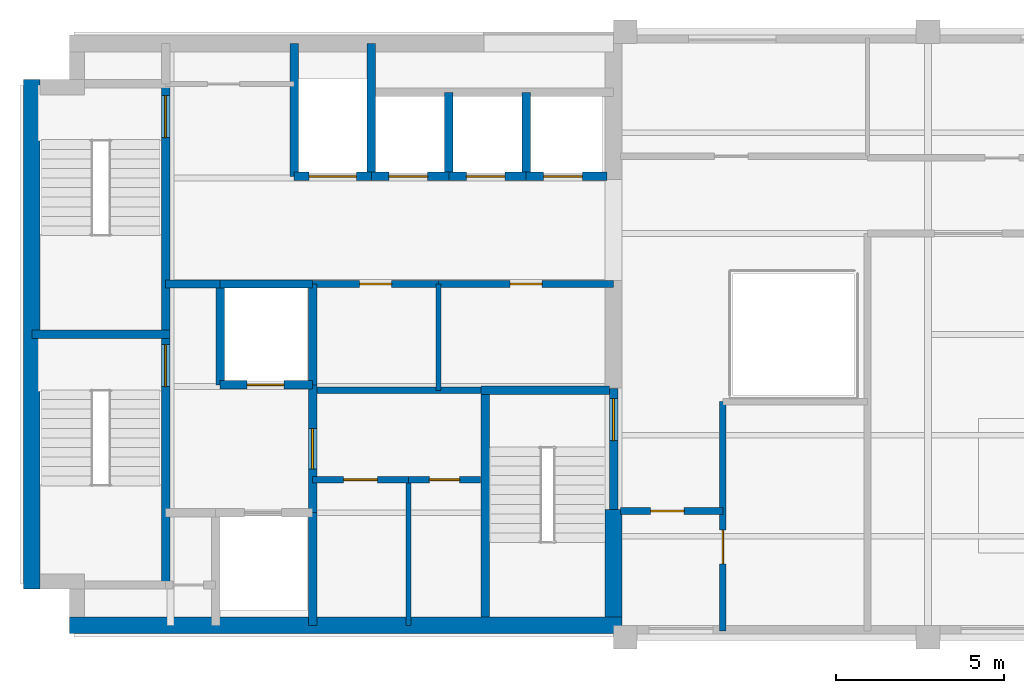
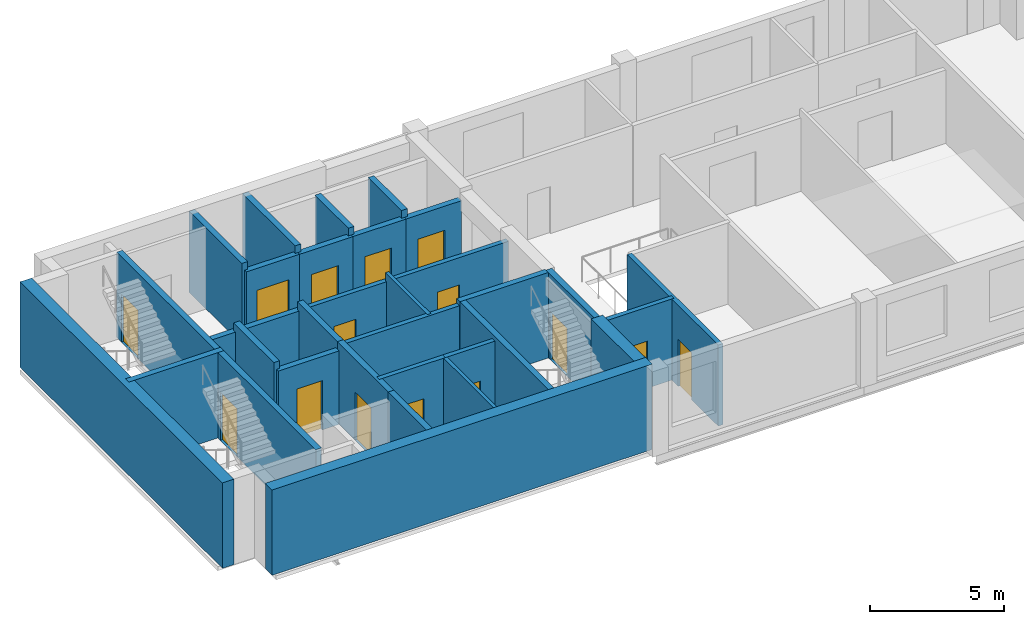
# One storey, part 2 of 5: 33 walls, 15 doors, 15 openings.
"""IFC4 building model written with IfcOpenShell, lengths in metres."""

from ifc_helpers import new_model, si_unit, direction, frame, frame_2d, origin, place, context, subcontext, project, spatial, rectangle, extrude, material, layer, layer_set, type_object, element, fill, save


model = new_model("IFC4")

# Units and contexts
model_context = context("Model", 3, precision=1e-05, world=origin(), true_north=direction((0.0, 1.0)))
body_context = subcontext(model_context, "Body", "Model", "MODEL_VIEW")
ifc_project = project(units=[si_unit("LENGTHUNIT", "METRE"), si_unit("AREAUNIT", "SQUARE_METRE"), si_unit("VOLUMEUNIT", "CUBIC_METRE"), si_unit("PLANEANGLEUNIT", "RADIAN"), si_unit("MASSUNIT", "GRAM", prefix="KILO")], contexts=[model_context])

# Site, building, storey
site_placement = place(None, origin())
site = spatial("IfcSite", under=ifc_project, at=site_placement, CompositionType="ELEMENT")
building_placement = place(site_placement, origin())
building = spatial("IfcBuilding", under=site, at=building_placement, Name="Mawjdan Bourse Tower", CompositionType="ELEMENT")
storey_placement = place(building_placement, frame((0.0, 0.0, 297.60009765625)))
storey = spatial("IfcBuildingStorey", under=building, at=storey_placement, Name="L73", CompositionType="ELEMENT", Elevation=297.60009765625)

# Wall, opening, door
ifc_material_1 = material(Name="Gypsum Fireboard Assembly")
ifc_layer_1 = layer(ifc_material_1, 0.199951171875)
ifc_layer_set_1 = layer_set([ifc_layer_1], Name="Gypsum Fireboard Assembly")
wall_type_1 = type_object("IfcWallType", Name="WL-CMP-200", PredefinedType="PARTITIONING", material=ifc_layer_set_1)
wall_1_placement = place(storey_placement, frame((14.699951171875, 7.679931640625, 0.0), z_axis=(0.0, 0.0, 1.0), x_axis=(1.0, 0.0, 0.0)))
wall_1 = element("IfcWall", 1, at=wall_1_placement, inside=storey, type_object=wall_type_1, Name="L73 Archive & Records Office North Wall", PredefinedType="PARTITIONING", context=body_context, shape_type="SweptSolid", body=[
    extrude(rectangle(XDim=2.85009765625, YDim=0.199951171875, at=frame_2d((1.425048828125, 0.0))), origin(), (0.0, 0.0, 1.0), 3.704833984375),
])
opening_1_placement = place(wall_1_placement, frame((0.925048828125, 0.0, 0.0)))
opening_1 = element("IfcOpeningElement", 2, at=opening_1_placement, cuts=wall_1, Name="Opening D-L73-13", PredefinedType="OPENING", context=body_context, shape_type="SweptSolid", body=[
    extrude(rectangle(XDim=1.0, YDim=2.14990234375, at=frame_2d((0.5, 1.074951171875))), frame((0.0, 0.10986328125, 0.0), z_axis=(0.0, -1.0, 0.0), x_axis=(1.0, 0.0, 0.0)), (0.0, 0.0, 1.0), 0.219970703125),
])
ifc_material_2 = material(Name="Hardwood Acoustic Leaf", Category="wood")
door_type_1 = type_object("IfcDoorType", Name="DR-OFC-1000", OperationType="NOTDEFINED", PredefinedType="DOOR", material=ifc_material_2)
door_1_placement = place(opening_1_placement, origin())
door_1 = element("IfcDoor", 3, at=door_1_placement, inside=storey, type_object=door_type_1, Name="L73 Archive & Records Office Door D-L73-13", OperationType="SINGLE_SWING_RIGHT", OverallHeight=2.14990234375, OverallWidth=1.0, PredefinedType="DOOR", context=body_context, shape_type="SweptSolid", body=[
    extrude(rectangle(XDim=1.0, YDim=2.14990234375, at=frame_2d((0.5, 1.074951171875))), frame((0.0, 0.02490234375, 0.0), z_axis=(0.0, -1.0, 0.0), x_axis=(1.0, 0.0, 0.0)), (0.0, 0.0, 1.0), 0.050048828125),
])
fill(opening_1, door_1)

wall_2_placement = place(storey_placement, frame((17.550048828125, 7.679931640625, 0.0), z_axis=(0.0, 0.0, 1.0), x_axis=(1.0, 0.0, 0.0)))
wall_2 = element("IfcWall", 4, at=wall_2_placement, inside=storey, type_object=wall_type_1, Name="L73 IT & Fiber Patch Room North Wall", PredefinedType="PARTITIONING", context=body_context, shape_type="SweptSolid", body=[
    extrude(rectangle(XDim=2.14990234375, YDim=0.199951171875, at=frame_2d((1.074951171875, 0.0))), origin(), (0.0, 0.0, 1.0), 3.704833984375),
])
opening_2_placement = place(wall_2_placement, frame((0.625, 0.0, 0.0)))
opening_2 = element("IfcOpeningElement", 5, at=opening_2_placement, cuts=wall_2, Name="Opening D-L73-14", PredefinedType="OPENING", context=body_context, shape_type="SweptSolid", body=[
    extrude(rectangle(XDim=0.89990234375, YDim=2.10009765625, at=frame_2d((0.449951171875, 1.050048828125))), frame((0.0, 0.10986328125, 0.0), z_axis=(0.0, -1.0, 0.0), x_axis=(1.0, 0.0, 0.0)), (0.0, 0.0, 1.0), 0.219970703125),
])
ifc_material_3 = material(Name="Fire-Rated Steel Access Leaf", Category="steel")
door_type_2 = type_object("IfcDoorType", Name="FD-RSR-0900", OperationType="NOTDEFINED", PredefinedType="TRAPDOOR", material=ifc_material_3)
door_2_placement = place(opening_2_placement, origin())
door_2 = element("IfcDoor", 6, at=door_2_placement, inside=storey, type_object=door_type_2, Name="L73 IT & Fiber Patch Room Door D-L73-14", OperationType="SINGLE_SWING_LEFT", OverallHeight=2.10009765625, OverallWidth=0.89990234375, PredefinedType="TRAPDOOR", context=body_context, shape_type="SweptSolid", body=[
    extrude(rectangle(XDim=0.89990234375, YDim=2.10009765625, at=frame_2d((0.449951171875, 1.050048828125))), frame((0.0, 0.02490234375, 0.0), z_axis=(0.0, -1.0, 0.0), x_axis=(1.0, 0.0, 0.0)), (0.0, 0.0, 1.0), 0.050048828125),
])
fill(opening_2, door_2)

# Wall
wall_3_placement = place(storey_placement, frame((14.824951171875, 10.340087890625, 0.0), z_axis=(0.0, 0.0, 1.0), x_axis=(1.0, 0.0, 0.0)))
element("IfcWall", 7, at=wall_3_placement, inside=storey, type_object=wall_type_1, Name="L73 Core Restroom Suite South Wall", PredefinedType="PARTITIONING", context=body_context, shape_type="SweptSolid", body=[
    extrude(rectangle(XDim=4.880126953125, YDim=0.199951171875, at=frame_2d((2.43994140625, 0.0))), origin(), (0.0, 0.0, 1.0), 3.704833984375),
])

# Wall, opening, door
wall_4_placement = place(storey_placement, frame((14.699951171875, 13.5, 0.0), z_axis=(0.0, 0.0, 1.0), x_axis=(1.0, 0.0, 0.0)))
wall_4 = element("IfcWall", 8, at=wall_4_placement, inside=storey, type_object=wall_type_1, Name="L73 Accessible WC North Wall", PredefinedType="PARTITIONING", context=body_context, shape_type="SweptSolid", body=[
    extrude(rectangle(XDim=3.75, YDim=0.199951171875, at=frame_2d((1.875, 0.0))), origin(), (0.0, 0.0, 1.0), 3.35400390625),
])
opening_3_placement = place(wall_4_placement, frame((1.39990234375, 0.0, 0.0)))
opening_3 = element("IfcOpeningElement", 9, at=opening_3_placement, cuts=wall_4, Name="Opening D-L73-15", PredefinedType="OPENING", context=body_context, shape_type="SweptSolid", body=[
    extrude(rectangle(XDim=0.949951171875, YDim=2.10009765625, at=frame_2d((0.47509765625, 1.050048828125))), frame((0.0, 0.10986328125, 0.0), z_axis=(0.0, -1.0, 0.0), x_axis=(1.0, 0.0, 0.0)), (0.0, 0.0, 1.0), 0.219970703125),
])
ifc_material_4 = material(Name="Moisture-Resistant Laminate Timber", Category="wood")
door_type_3 = type_object("IfcDoorType", Name="DR-WET-0950", OperationType="NOTDEFINED", PredefinedType="DOOR", material=ifc_material_4)
door_3_placement = place(opening_3_placement, origin())
door_3 = element("IfcDoor", 10, at=door_3_placement, inside=storey, type_object=door_type_3, Name="L73 Accessible WC Door D-L73-15", OperationType="SINGLE_SWING_RIGHT", OverallHeight=2.10009765625, OverallWidth=0.949951171875, PredefinedType="DOOR", context=body_context, shape_type="SweptSolid", body=[
    extrude(rectangle(XDim=0.949951171875, YDim=2.10009765625, at=frame_2d((0.47509765625, 1.050048828125))), frame((0.0, 0.02490234375, 0.0), z_axis=(0.0, -1.0, 0.0), x_axis=(1.0, 0.0, 0.0)), (0.0, 0.0, 1.0), 0.050048828125),
])
fill(opening_3, door_3)

wall_5_placement = place(storey_placement, frame((18.449951171875, 13.5, 0.0), z_axis=(0.0, 0.0, 1.0), x_axis=(1.0, 0.0, 0.0)))
wall_5 = element("IfcWall", 11, at=wall_5_placement, inside=storey, type_object=wall_type_1, Name="L73 Unisex Restroom Suite North Wall", PredefinedType="PARTITIONING", context=body_context, shape_type="SweptSolid", body=[
    extrude(rectangle(XDim=5.199951171875, YDim=0.199951171875, at=frame_2d((2.60009765625, 0.0))), origin(), (0.0, 0.0, 1.0), 3.35400390625),
])
opening_4_placement = place(wall_5_placement, frame((2.125, 0.0, 0.0)))
opening_4 = element("IfcOpeningElement", 12, at=opening_4_placement, cuts=wall_5, Name="Opening D-L73-16", PredefinedType="OPENING", context=body_context, shape_type="SweptSolid", body=[
    extrude(rectangle(XDim=0.949951171875, YDim=2.10009765625, at=frame_2d((0.47509765625, 1.050048828125))), frame((0.0, 0.10986328125, 0.0), z_axis=(0.0, -1.0, 0.0), x_axis=(1.0, 0.0, 0.0)), (0.0, 0.0, 1.0), 0.219970703125),
])
door_4_placement = place(opening_4_placement, origin())
door_4 = element("IfcDoor", 13, at=door_4_placement, inside=storey, type_object=door_type_3, Name="L73 Unisex Restroom Suite Door D-L73-16", OperationType="SINGLE_SWING_LEFT", OverallHeight=2.10009765625, OverallWidth=0.949951171875, PredefinedType="DOOR", context=body_context, shape_type="SweptSolid", body=[
    extrude(rectangle(XDim=0.949951171875, YDim=2.10009765625, at=frame_2d((0.47509765625, 1.050048828125))), frame((0.0, 0.02490234375, 0.0), z_axis=(0.0, -1.0, 0.0), x_axis=(1.0, 0.0, 0.0)), (0.0, 0.0, 1.0), 0.050048828125),
])
fill(opening_4, door_4)

wall_6_placement = place(storey_placement, frame((23.85009765625, 6.75, 0.0), z_axis=(0.0, 0.0, 1.0), x_axis=(1.0, 0.0, 0.0)))
wall_6 = element("IfcWall", 14, at=wall_6_placement, inside=storey, type_object=wall_type_1, Name="L73 Summit SW Study North Wall", PredefinedType="PARTITIONING", context=body_context, shape_type="SweptSolid", body=[
    extrude(rectangle(XDim=3.0498046875, YDim=0.199951171875, at=frame_2d((1.52490234375, 0.0))), origin(), (0.0, 0.0, 1.0), 3.704833984375),
])
opening_5_placement = place(wall_6_placement, frame((0.89990234375, 0.0, 0.0)))
opening_5 = element("IfcOpeningElement", 15, at=opening_5_placement, cuts=wall_6, Name="Opening D-L73-18", PredefinedType="OPENING", context=body_context, shape_type="SweptSolid", body=[
    extrude(rectangle(XDim=1.0, YDim=2.14990234375, at=frame_2d((0.5, 1.074951171875))), frame((0.0, 0.10986328125, 0.0), z_axis=(0.0, -1.0, 0.0), x_axis=(1.0, 0.0, 0.0)), (0.0, 0.0, 1.0), 0.219970703125),
])
door_5_placement = place(opening_5_placement, origin())
door_5 = element("IfcDoor", 16, at=door_5_placement, inside=storey, type_object=door_type_1, Name="L73 Summit SW Study Door D-L73-18", OperationType="SINGLE_SWING_LEFT", OverallHeight=2.14990234375, OverallWidth=1.0, PredefinedType="DOOR", context=body_context, shape_type="SweptSolid", body=[
    extrude(rectangle(XDim=1.0, YDim=2.14990234375, at=frame_2d((0.5, 1.074951171875))), frame((0.0, 0.02490234375, 0.0), z_axis=(0.0, -1.0, 0.0), x_axis=(1.0, 0.0, 0.0)), (0.0, 0.0, 1.0), 0.050048828125),
])
fill(opening_5, door_5)

wall_7_placement = place(storey_placement, frame((26.89990234375, 3.179931640625, 0.0), z_axis=(0.0, 0.0, 1.0), x_axis=(0.0, 1.0, 0.0)))
wall_7 = element("IfcWall", 17, at=wall_7_placement, inside=storey, type_object=wall_type_1, Name="L73 Summit South Atrium Suite West Wall", PredefinedType="PARTITIONING", context=body_context, shape_type="SweptSolid", body=[
    extrude(rectangle(XDim=6.820068359375, YDim=0.199951171875, at=frame_2d((3.41015625, 0.0))), origin(), (0.0, 0.0, 1.0), 3.704833984375),
])
opening_6_placement = place(wall_7_placement, frame((2.0, 0.0, 0.0)))
opening_6 = element("IfcOpeningElement", 18, at=opening_6_placement, cuts=wall_7, Name="Opening D-L73-19", PredefinedType="OPENING", context=body_context, shape_type="SweptSolid", body=[
    extrude(rectangle(XDim=1.0, YDim=2.14990234375, at=frame_2d((0.5, 1.074951171875))), frame((0.0, 0.10986328125, 0.0), z_axis=(0.0, -1.0, 0.0), x_axis=(1.0, 0.0, 0.0)), (0.0, 0.0, 1.0), 0.219970703125),
])
door_6_placement = place(opening_6_placement, origin())
door_6 = element("IfcDoor", 19, at=door_6_placement, inside=storey, type_object=door_type_1, Name="L73 Summit South Atrium Suite Door D-L73-19", OperationType="SINGLE_SWING_RIGHT", OverallHeight=2.14990234375, OverallWidth=1.0, PredefinedType="DOOR", context=body_context, shape_type="SweptSolid", body=[
    extrude(rectangle(XDim=1.0, YDim=2.14990234375, at=frame_2d((0.5, 1.074951171875))), frame((0.0, 0.02490234375, 0.0), z_axis=(0.0, -1.0, 0.0), x_axis=(1.0, 0.0, 0.0)), (0.0, 0.0, 1.0), 0.050048828125),
])
fill(opening_6, door_6)

# Walls
ifc_material_5 = material(Name="Concrete C60/75", Category="concrete")
ifc_layer_2 = layer(ifc_material_5, 0.5)
ifc_layer_set_2 = layer_set([ifc_layer_2], Name="Concrete C60/75")
wall_type_2 = type_object("IfcWallType", Name="WL-CORE-500", PredefinedType="SHEAR", material=ifc_layer_set_2)
wall_8_placement = place(storey_placement, frame((7.47509765625, 3.35009765625, 0.0), z_axis=(0.0, 0.0, 1.0), x_axis=(1.0, 0.0, 0.0)))
element("IfcWall", 20, at=wall_8_placement, inside=storey, type_object=wall_type_2, Name="L73 Rear Core Shear Wall S", PredefinedType="SHEAR", context=body_context, shape_type="SweptSolid", body=[
    extrude(rectangle(XDim=16.4248046875, YDim=0.5, at=frame_2d((8.21240234375, 0.0))), origin(), (0.0, 0.0, 1.0), 3.89990234375),
])
wall_9_placement = place(storey_placement, frame((6.35009765625, 4.425048828125, 0.0), z_axis=(0.0, 0.0, 1.0), x_axis=(0.0, 1.0, 0.0)))
element("IfcWall", 21, at=wall_9_placement, inside=storey, type_object=wall_type_2, Name="L73 Rear Core Shear Wall W", PredefinedType="SHEAR", context=body_context, shape_type="SweptSolid", body=[
    extrude(rectangle(XDim=15.14990234375, YDim=0.5, at=frame_2d((7.574951171875, 0.0))), origin(), (0.0, 0.0, 1.0), 3.89990234375),
])
wall_10_placement = place(storey_placement, frame((23.64990234375, 3.60009765625, 0.0), z_axis=(0.0, 0.0, 1.0), x_axis=(0.0, 1.0, 0.0)))
element("IfcWall", 22, at=wall_10_placement, inside=storey, type_object=wall_type_2, Name="L73 Rear Core Shear Wall E1", PredefinedType="SHEAR", context=body_context, shape_type="SweptSolid", body=[
    extrude(rectangle(XDim=3.199951171875, YDim=0.5, at=frame_2d((1.60009765625, 0.0))), origin(), (0.0, 0.0, 1.0), 3.89990234375),
])
ifc_material_6 = material(Name="Gypsum Acoustic Partition")
ifc_layer_3 = layer(ifc_material_6, 0.14990234375)
ifc_layer_set_3 = layer_set([ifc_layer_3], Name="Gypsum Acoustic Partition")
wall_type_3 = type_object("IfcWallType", Name="WL-PRT-150", PredefinedType="PARTITIONING", material=ifc_layer_set_3)
wall_11_placement = place(storey_placement, frame((17.550048828125, 3.35009765625, 0.0), z_axis=(0.0, 0.0, 1.0), x_axis=(0.0, 1.0, 0.0)))
element("IfcWall", 23, at=wall_11_placement, inside=storey, type_object=wall_type_3, Name="L73 IT & Fiber Patch Room Core Split Wall", PredefinedType="PARTITIONING", context=body_context, shape_type="SweptSolid", body=[
    extrude(rectangle(XDim=4.329833984375, YDim=0.14990234375, at=frame_2d((2.1650390625, 0.0))), origin(), (0.0, 0.0, 1.0), 3.704833984375),
])
wall_12_placement = place(storey_placement, frame((18.449951171875, 10.340087890625, 0.0), z_axis=(0.0, 0.0, 1.0), x_axis=(0.0, 1.0, 0.0)))
element("IfcWall", 24, at=wall_12_placement, inside=storey, type_object=wall_type_3, Name="L73 Unisex Restroom Suite Split Wall", PredefinedType="PARTITIONING", context=body_context, shape_type="SweptSolid", body=[
    extrude(rectangle(XDim=3.159912109375, YDim=0.14990234375, at=frame_2d((1.580078125, 0.0))), origin(), (0.0, 0.0, 1.0), 3.704833984375),
])
ifc_material_7 = material(Name="Concrete C50/60", Category="concrete")
ifc_layer_4 = layer(ifc_material_7, 0.25)
ifc_layer_set_4 = layer_set([ifc_layer_4], Name="Concrete C50/60")
wall_type_4 = type_object("IfcWallType", Name="WL-SHFT-250", PredefinedType="PARTITIONING", material=ifc_layer_set_4)
wall_13_placement = place(storey_placement, frame((14.699951171875, 3.35009765625, 0.0), z_axis=(0.0, 0.0, 1.0), x_axis=(0.0, 1.0, 0.0)))
element("IfcWall", 25, at=wall_13_placement, inside=storey, type_object=wall_type_4, Name="L73 FFL-01 East Shaft Wall", PredefinedType="PARTITIONING", context=body_context, shape_type="SweptSolid", body=[
    extrude(rectangle(XDim=3.349853515625, YDim=0.25, at=frame_2d((1.6748046875, 0.0))), origin(), (0.0, 0.0, 1.0), 3.704833984375),
])

# Wall, opening, door
wall_14_placement = place(storey_placement, frame((11.949951171875, 10.5, 0.0), z_axis=(0.0, 0.0, 1.0), x_axis=(1.0, 0.0, 0.0)))
wall_14 = element("IfcWall", 26, at=wall_14_placement, inside=storey, type_object=wall_type_4, Name="L73 FFL-02 Front Shaft Wall", PredefinedType="PARTITIONING", context=body_context, shape_type="SweptSolid", body=[
    extrude(rectangle(XDim=2.75, YDim=0.25, at=frame_2d((1.375, 0.0))), origin(), (0.0, 0.0, 1.0), 3.35400390625),
])
opening_7_placement = place(wall_14_placement, frame((0.800048828125, 0.0, 0.0)))
opening_7 = element("IfcOpeningElement", 27, at=opening_7_placement, cuts=wall_14, Name="Opening LD-L73-06", PredefinedType="OPENING", context=body_context, shape_type="SweptSolid", body=[
    extrude(rectangle(XDim=1.10009765625, YDim=2.25, at=frame_2d((0.550048828125, 1.125))), frame((0.0, 0.135009765625, 0.0), z_axis=(0.0, -1.0, 0.0), x_axis=(1.0, 0.0, 0.0)), (0.0, 0.0, 1.0), 0.27001953125),
])
ifc_material_8 = material(Name="Brushed Stainless Steel", Category="steel")
door_type_4 = type_object("IfcDoorType", Name="LD-FFL-1100", OperationType="DOUBLE_DOOR_SLIDING", PredefinedType="DOOR", material=ifc_material_8)
door_7_placement = place(opening_7_placement, origin())
door_7 = element("IfcDoor", 28, at=door_7_placement, inside=storey, type_object=door_type_4, Name="L73 Firefighting Lift FFL-02 Landing Door LD-L73-06", OperationType="DOUBLE_DOOR_SLIDING", OverallHeight=2.25, OverallWidth=1.10009765625, PredefinedType="DOOR", context=body_context, shape_type="SweptSolid", body=[
    extrude(rectangle(XDim=1.10009765625, YDim=2.25, at=frame_2d((0.550048828125, 1.125))), frame((0.0, 0.02490234375, 0.0), z_axis=(0.0, -1.0, 0.0), x_axis=(1.0, 0.0, 0.0)), (0.0, 0.0, 1.0), 0.050048828125),
])
fill(opening_7, door_7)

# Walls
wall_15_placement = place(storey_placement, frame((11.949951171875, 10.5, 0.0), z_axis=(0.0, 0.0, 1.0), x_axis=(0.0, 1.0, 0.0)))
element("IfcWall", 29, at=wall_15_placement, inside=storey, type_object=wall_type_4, Name="L73 FFL-02 West Shaft Wall", PredefinedType="PARTITIONING", context=body_context, shape_type="SweptSolid", body=[
    extrude(rectangle(XDim=3.0, YDim=0.25, at=frame_2d((1.5, 0.0))), origin(), (0.0, 0.0, 1.0), 3.704833984375),
])
wall_16_placement = place(storey_placement, frame((11.949951171875, 13.5, 0.0), z_axis=(0.0, 0.0, 1.0), x_axis=(1.0, 0.0, 0.0)))
element("IfcWall", 30, at=wall_16_placement, inside=storey, type_object=wall_type_4, Name="L73 FFL-02 North Shaft Wall", PredefinedType="PARTITIONING", context=body_context, shape_type="SweptSolid", body=[
    extrude(rectangle(XDim=2.75, YDim=0.25, at=frame_2d((1.375, 0.0))), origin(), (0.0, 0.0, 1.0), 3.35400390625),
])
wall_17_placement = place(storey_placement, frame((14.699951171875, 10.5, 0.0), z_axis=(0.0, 0.0, 1.0), x_axis=(0.0, 1.0, 0.0)))
element("IfcWall", 31, at=wall_17_placement, inside=storey, type_object=wall_type_4, Name="L73 FFL-02 East Shaft Wall", PredefinedType="PARTITIONING", context=body_context, shape_type="SweptSolid", body=[
    extrude(rectangle(XDim=3.0, YDim=0.25, at=frame_2d((1.5, 0.0))), origin(), (0.0, 0.0, 1.0), 3.704833984375),
])

# Wall, opening, door
wall_18_placement = place(storey_placement, frame((14.699951171875, 6.699951171875, 0.0), z_axis=(0.0, 0.0, 1.0), x_axis=(0.0, 1.0, 0.0)))
wall_18 = element("IfcWall", 32, at=wall_18_placement, inside=storey, type_object=wall_type_4, Name="L73 Firefighting Lobby East Compartment Wall", PredefinedType="PARTITIONING", context=body_context, shape_type="SweptSolid", body=[
    extrude(rectangle(XDim=3.800048828125, YDim=0.25, at=frame_2d((1.89990234375, 0.0))), origin(), (0.0, 0.0, 1.0), 3.704833984375),
])
opening_8_placement = place(wall_18_placement, frame((1.300048828125, 0.0, 0.0)))
opening_8 = element("IfcOpeningElement", 33, at=opening_8_placement, cuts=wall_18, Name="Opening FD-L73-07", PredefinedType="OPENING", context=body_context, shape_type="SweptSolid", body=[
    extrude(rectangle(XDim=1.199951171875, YDim=2.199951171875, at=frame_2d((0.60009765625, 1.10009765625))), frame((0.0, 0.135009765625, 0.0), z_axis=(0.0, -1.0, 0.0), x_axis=(1.0, 0.0, 0.0)), (0.0, 0.0, 1.0), 0.27001953125),
])
ifc_material_9 = material(Name="Fire-Rated Steel Leaf", Category="steel")
door_type_5 = type_object("IfcDoorType", Name="FD-FFL-1200", OperationType="NOTDEFINED", PredefinedType="DOOR", material=ifc_material_9)
door_8_placement = place(opening_8_placement, origin())
door_8 = element("IfcDoor", 34, at=door_8_placement, inside=storey, type_object=door_type_5, Name="L73 Firefighting Lobby East Smoke Door FD-L73-07", OperationType="SINGLE_SWING_RIGHT", OverallHeight=2.199951171875, OverallWidth=1.199951171875, PredefinedType="DOOR", context=body_context, shape_type="SweptSolid", body=[
    extrude(rectangle(XDim=1.199951171875, YDim=2.199951171875, at=frame_2d((0.60009765625, 1.10009765625))), frame((0.0, 0.02490234375, 0.0), z_axis=(0.0, -1.0, 0.0), x_axis=(1.0, 0.0, 0.0)), (0.0, 0.0, 1.0), 0.050048828125),
])
fill(opening_8, door_8)

# Wall
wall_19_placement = place(storey_placement, frame((10.330078125, 13.5, 0.0), z_axis=(0.0, 0.0, 1.0), x_axis=(1.0, 0.0, 0.0)))
element("IfcWall", 35, at=wall_19_placement, inside=storey, type_object=wall_type_4, Name="L73 Firefighting Lobby North Compartment Wall", PredefinedType="PARTITIONING", context=body_context, shape_type="SweptSolid", body=[
    extrude(rectangle(XDim=1.619873046875, YDim=0.25, at=frame_2d((0.81005859375, 0.0))), origin(), (0.0, 0.0, 1.0), 3.35400390625),
])

# Wall, opening, door
wall_20_placement = place(storey_placement, frame((14.14990234375, 16.699951171875, 0.0), z_axis=(0.0, 0.0, 1.0), x_axis=(1.0, 0.0, 0.0)))
wall_20 = element("IfcWall", 36, at=wall_20_placement, inside=storey, type_object=wall_type_4, Name="L73 SVL-01 Front Shaft Wall", PredefinedType="PARTITIONING", context=body_context, shape_type="SweptSolid", body=[
    extrude(rectangle(XDim=2.300048828125, YDim=0.25, at=frame_2d((1.14990234375, 0.0))), origin(), (0.0, 0.0, 1.0), 3.35400390625),
])
opening_9_placement = place(wall_20_placement, frame((0.449951171875, 0.0, 0.0)))
opening_9 = element("IfcOpeningElement", 37, at=opening_9_placement, cuts=wall_20, Name="Opening LD-L73-09", PredefinedType="OPENING", context=body_context, shape_type="SweptSolid", body=[
    extrude(rectangle(XDim=1.39990234375, YDim=2.35009765625, at=frame_2d((0.699951171875, 1.175048828125))), frame((0.0, 0.135009765625, 0.0), z_axis=(0.0, -1.0, 0.0), x_axis=(1.0, 0.0, 0.0)), (0.0, 0.0, 1.0), 0.27001953125),
])
ifc_material_10 = material(Name="Heavy-Duty Stainless Steel", Category="steel")
door_type_6 = type_object("IfcDoorType", Name="LD-SRV-1400", OperationType="DOUBLE_DOOR_SLIDING", PredefinedType="DOOR", material=ifc_material_10)
door_9_placement = place(opening_9_placement, origin())
door_9 = element("IfcDoor", 38, at=door_9_placement, inside=storey, type_object=door_type_6, Name="L73 Service Lift SVL-01 Landing Door LD-L73-09", OperationType="DOUBLE_DOOR_SLIDING", OverallHeight=2.35009765625, OverallWidth=1.39990234375, PredefinedType="DOOR", context=body_context, shape_type="SweptSolid", body=[
    extrude(rectangle(XDim=1.39990234375, YDim=2.35009765625, at=frame_2d((0.699951171875, 1.175048828125))), frame((0.0, 0.02490234375, 0.0), z_axis=(0.0, -1.0, 0.0), x_axis=(1.0, 0.0, 0.0)), (0.0, 0.0, 1.0), 0.050048828125),
])
fill(opening_9, door_9)

# Walls
for number, where, z_axis, x_axis, name in (
    (39, (14.14990234375, 16.699951171875, 0.0), (0.0, 0.0, 1.0), (0.0, 1.0, 0.0), "L73 SVL-01 West Shaft Wall"),
    (40, (16.449951171875, 16.699951171875, 0.0), (0.0, 0.0, 1.0), (0.0, 1.0, 0.0), "L73 SVL-01 East Shaft Wall"),
):
    element("IfcWall", number, at=place(storey_placement, frame(where, z_axis=z_axis, x_axis=x_axis)), inside=storey, type_object=wall_type_4, Name=name, PredefinedType="PARTITIONING", context=body_context, shape_type="SweptSolid", body=[
        extrude(rectangle(XDim=3.949951171875, YDim=0.25, at=frame_2d((1.97509765625, 0.0))), origin(), (0.0, 0.0, 1.0), 3.704833984375),
    ])

# Wall, opening, door
wall_21_placement = place(storey_placement, frame((16.449951171875, 16.699951171875, 0.0), z_axis=(0.0, 0.0, 1.0), x_axis=(1.0, 0.0, 0.0)))
wall_21 = element("IfcWall", 41, at=wall_21_placement, inside=storey, type_object=wall_type_4, Name="L73 PH-01 Front Wall", PredefinedType="PARTITIONING", context=body_context, shape_type="SweptSolid", body=[
    extrude(rectangle(XDim=2.300048828125, YDim=0.25, at=frame_2d((1.14990234375, 0.0))), origin(), (0.0, 0.0, 1.0), 3.35400390625),
])
opening_10_placement = place(wall_21_placement, frame((0.52001953125, 0.0, 0.0)))
opening_10 = element("IfcOpeningElement", 42, at=opening_10_placement, cuts=wall_21, Name="Opening LD-L73-10", PredefinedType="OPENING", context=body_context, shape_type="SweptSolid", body=[
    extrude(rectangle(XDim=1.14990234375, YDim=2.25, at=frame_2d((0.574951171875, 1.125))), frame((0.0, 0.135009765625, 0.0), z_axis=(0.0, -1.0, 0.0), x_axis=(1.0, 0.0, 0.0)), (0.0, 0.0, 1.0), 0.27001953125),
])
door_type_7 = type_object("IfcDoorType", Name="LD-PAS-1150", OperationType="DOUBLE_DOOR_SLIDING", PredefinedType="DOOR", material=ifc_material_8)
door_10_placement = place(opening_10_placement, origin())
door_10 = element("IfcDoor", 43, at=door_10_placement, inside=storey, type_object=door_type_7, Name="L73 Lift PH-01 Landing Door LD-L73-10", OperationType="DOUBLE_DOOR_SLIDING", OverallHeight=2.25, OverallWidth=1.14990234375, PredefinedType="DOOR", context=body_context, shape_type="SweptSolid", body=[
    extrude(rectangle(XDim=1.14990234375, YDim=2.25, at=frame_2d((0.574951171875, 1.125))), frame((0.0, 0.02490234375, 0.0), z_axis=(0.0, -1.0, 0.0), x_axis=(1.0, 0.0, 0.0)), (0.0, 0.0, 1.0), 0.050048828125),
])
fill(opening_10, door_10)

# Wall
wall_22_placement = place(storey_placement, frame((18.75, 16.699951171875, 0.0), z_axis=(0.0, 0.0, 1.0), x_axis=(0.0, 1.0, 0.0)))
element("IfcWall", 44, at=wall_22_placement, inside=storey, type_object=wall_type_4, Name="L73 PH-01 Divider Wall", PredefinedType="PARTITIONING", context=body_context, shape_type="SweptSolid", body=[
    extrude(rectangle(XDim=2.5, YDim=0.25, at=frame_2d((1.25, 0.0))), origin(), (0.0, 0.0, 1.0), 3.704833984375),
])

# Wall, opening, door
wall_23_placement = place(storey_placement, frame((18.75, 16.699951171875, 0.0), z_axis=(0.0, 0.0, 1.0), x_axis=(1.0, 0.0, 0.0)))
wall_23 = element("IfcWall", 45, at=wall_23_placement, inside=storey, type_object=wall_type_4, Name="L73 PH-02 Front Wall", PredefinedType="PARTITIONING", context=body_context, shape_type="SweptSolid", body=[
    extrude(rectangle(XDim=2.300048828125, YDim=0.25, at=frame_2d((1.14990234375, 0.0))), origin(), (0.0, 0.0, 1.0), 3.35400390625),
])
opening_11_placement = place(wall_23_placement, frame((0.52001953125, 0.0, 0.0)))
opening_11 = element("IfcOpeningElement", 46, at=opening_11_placement, cuts=wall_23, Name="Opening LD-L73-11", PredefinedType="OPENING", context=body_context, shape_type="SweptSolid", body=[
    extrude(rectangle(XDim=1.14990234375, YDim=2.25, at=frame_2d((0.574951171875, 1.125))), frame((0.0, 0.135009765625, 0.0), z_axis=(0.0, -1.0, 0.0), x_axis=(1.0, 0.0, 0.0)), (0.0, 0.0, 1.0), 0.27001953125),
])
door_11_placement = place(opening_11_placement, origin())
door_11 = element("IfcDoor", 47, at=door_11_placement, inside=storey, type_object=door_type_7, Name="L73 Lift PH-02 Landing Door LD-L73-11", OperationType="DOUBLE_DOOR_SLIDING", OverallHeight=2.25, OverallWidth=1.14990234375, PredefinedType="DOOR", context=body_context, shape_type="SweptSolid", body=[
    extrude(rectangle(XDim=1.14990234375, YDim=2.25, at=frame_2d((0.574951171875, 1.125))), frame((0.0, 0.02490234375, 0.0), z_axis=(0.0, -1.0, 0.0), x_axis=(1.0, 0.0, 0.0)), (0.0, 0.0, 1.0), 0.050048828125),
])
fill(opening_11, door_11)

# Wall
wall_24_placement = place(storey_placement, frame((21.050048828125, 16.699951171875, 0.0), z_axis=(0.0, 0.0, 1.0), x_axis=(0.0, 1.0, 0.0)))
element("IfcWall", 48, at=wall_24_placement, inside=storey, type_object=wall_type_4, Name="L73 PH-02 Divider Wall", PredefinedType="PARTITIONING", context=body_context, shape_type="SweptSolid", body=[
    extrude(rectangle(XDim=2.5, YDim=0.25, at=frame_2d((1.25, 0.0))), origin(), (0.0, 0.0, 1.0), 3.704833984375),
])

# Wall, opening, door
wall_25_placement = place(storey_placement, frame((21.050048828125, 16.699951171875, 0.0), z_axis=(0.0, 0.0, 1.0), x_axis=(1.0, 0.0, 0.0)))
wall_25 = element("IfcWall", 49, at=wall_25_placement, inside=storey, type_object=wall_type_4, Name="L73 PH-03 Front Wall", PredefinedType="PARTITIONING", context=body_context, shape_type="SweptSolid", body=[
    extrude(rectangle(XDim=2.39990234375, YDim=0.25, at=frame_2d((1.199951171875, 0.0))), origin(), (0.0, 0.0, 1.0), 3.35400390625),
])
opening_12_placement = place(wall_25_placement, frame((0.52001953125, 0.0, 0.0)))
opening_12 = element("IfcOpeningElement", 50, at=opening_12_placement, cuts=wall_25, Name="Opening LD-L73-12", PredefinedType="OPENING", context=body_context, shape_type="SweptSolid", body=[
    extrude(rectangle(XDim=1.14990234375, YDim=2.25, at=frame_2d((0.574951171875, 1.125))), frame((0.0, 0.135009765625, 0.0), z_axis=(0.0, -1.0, 0.0), x_axis=(1.0, 0.0, 0.0)), (0.0, 0.0, 1.0), 0.27001953125),
])
door_12_placement = place(opening_12_placement, origin())
door_12 = element("IfcDoor", 51, at=door_12_placement, inside=storey, type_object=door_type_7, Name="L73 Lift PH-03 Landing Door LD-L73-12", OperationType="DOUBLE_DOOR_SLIDING", OverallHeight=2.25, OverallWidth=1.14990234375, PredefinedType="DOOR", context=body_context, shape_type="SweptSolid", body=[
    extrude(rectangle(XDim=1.14990234375, YDim=2.25, at=frame_2d((0.574951171875, 1.125))), frame((0.0, 0.02490234375, 0.0), z_axis=(0.0, -1.0, 0.0), x_axis=(1.0, 0.0, 0.0)), (0.0, 0.0, 1.0), 0.050048828125),
])
fill(opening_12, door_12)

# Wall
ifc_layer_5 = layer(ifc_material_7, 0.25)
ifc_layer_set_5 = layer_set([ifc_layer_5], Name="Concrete C50/60")
wall_type_5 = type_object("IfcWallType", Name="WL-STRW-250", PredefinedType="SHEAR", material=ifc_layer_set_5)
wall_26_placement = place(storey_placement, frame((6.35009765625, 12.0, 0.0), z_axis=(0.0, 0.0, 1.0), x_axis=(1.0, 0.0, 0.0)))
element("IfcWall", 52, at=wall_26_placement, inside=storey, type_object=wall_type_5, Name="L73 Stairwell Dividing Shaft Wall", PredefinedType="SHEAR", context=body_context, shape_type="SweptSolid", body=[
    extrude(rectangle(XDim=4.10498046875, YDim=0.25, at=frame_2d((2.052490234375, 0.0))), origin(), (0.0, 0.0, 1.0), 3.89990234375),
])

# Wall, opening, door
wall_27_placement = place(storey_placement, frame((10.330078125, 4.550048828125, 0.0), z_axis=(0.0, 0.0, 1.0), x_axis=(0.0, 1.0, 0.0)))
wall_27 = element("IfcWall", 53, at=wall_27_placement, inside=storey, type_object=wall_type_5, Name="L73 Stairwell ST1 East Enclosure Wall", PredefinedType="SHEAR", context=body_context, shape_type="SweptSolid", body=[
    extrude(rectangle(XDim=7.449951171875, YDim=0.25, at=frame_2d((3.72509765625, 0.0))), origin(), (0.0, 0.0, 1.0), 3.89990234375),
])
opening_13_placement = place(wall_27_placement, frame((5.89990234375, 0.0, 0.0)))
opening_13 = element("IfcOpeningElement", 54, at=opening_13_placement, cuts=wall_27, Name="Opening SD-L73-01", PredefinedType="OPENING", context=body_context, shape_type="SweptSolid", body=[
    extrude(rectangle(XDim=1.25, YDim=2.199951171875, at=frame_2d((0.625, 1.10009765625))), frame((0.0, 0.135009765625, 0.0), z_axis=(0.0, -1.0, 0.0), x_axis=(1.0, 0.0, 0.0)), (0.0, 0.0, 1.0), 0.27001953125),
])
door_type_8 = type_object("IfcDoorType", Name="FD-ST-1250", OperationType="NOTDEFINED", PredefinedType="DOOR", material=ifc_material_9)
door_13_placement = place(opening_13_placement, origin())
door_13 = element("IfcDoor", 55, at=door_13_placement, inside=storey, type_object=door_type_8, Name="L73 Exit Stair ST1 Fire Door SD-L73-01", OperationType="SINGLE_SWING_RIGHT", OverallHeight=2.199951171875, OverallWidth=1.25, PredefinedType="DOOR", context=body_context, shape_type="SweptSolid", body=[
    extrude(rectangle(XDim=1.25, YDim=2.199951171875, at=frame_2d((0.625, 1.10009765625))), frame((0.0, 0.02490234375, 0.0), z_axis=(0.0, -1.0, 0.0), x_axis=(1.0, 0.0, 0.0)), (0.0, 0.0, 1.0), 0.050048828125),
])
fill(opening_13, door_13)

wall_28_placement = place(storey_placement, frame((10.330078125, 12.0, 0.0), z_axis=(0.0, 0.0, 1.0), x_axis=(0.0, 1.0, 0.0)))
wall_28 = element("IfcWall", 56, at=wall_28_placement, inside=storey, type_object=wall_type_5, Name="L73 Stairwell ST2 East Enclosure Wall", PredefinedType="SHEAR", context=body_context, shape_type="SweptSolid", body=[
    extrude(rectangle(XDim=7.449951171875, YDim=0.25, at=frame_2d((3.72509765625, 0.0))), origin(), (0.0, 0.0, 1.0), 3.89990234375),
])
opening_14_placement = place(wall_28_placement, frame((5.85009765625, 0.0, 0.0)))
opening_14 = element("IfcOpeningElement", 57, at=opening_14_placement, cuts=wall_28, Name="Opening SD-L73-02", PredefinedType="OPENING", context=body_context, shape_type="SweptSolid", body=[
    extrude(rectangle(XDim=1.25, YDim=2.199951171875, at=frame_2d((0.625, 1.10009765625))), frame((0.0, 0.135009765625, 0.0), z_axis=(0.0, -1.0, 0.0), x_axis=(1.0, 0.0, 0.0)), (0.0, 0.0, 1.0), 0.27001953125),
])
door_14_placement = place(opening_14_placement, origin())
door_14 = element("IfcDoor", 58, at=door_14_placement, inside=storey, type_object=door_type_8, Name="L73 Exit Stair ST2 Fire Door SD-L73-02", OperationType="SINGLE_SWING_LEFT", OverallHeight=2.199951171875, OverallWidth=1.25, PredefinedType="DOOR", context=body_context, shape_type="SweptSolid", body=[
    extrude(rectangle(XDim=1.25, YDim=2.199951171875, at=frame_2d((0.625, 1.10009765625))), frame((0.0, 0.02490234375, 0.0), z_axis=(0.0, -1.0, 0.0), x_axis=(1.0, 0.0, 0.0)), (0.0, 0.0, 1.0), 0.050048828125),
])
fill(opening_14, door_14)

# Walls
wall_29_placement = place(storey_placement, frame((19.830078125, 3.60009765625, 0.0), z_axis=(0.0, 0.0, 1.0), x_axis=(0.0, 1.0, 0.0)))
element("IfcWall", 59, at=wall_29_placement, inside=storey, type_object=wall_type_5, Name="L73 ST7 West Shaft Wall", PredefinedType="SHEAR", context=body_context, shape_type="SweptSolid", body=[
    extrude(rectangle(XDim=6.739990234375, YDim=0.25, at=frame_2d((3.3701171875, 0.0))), origin(), (0.0, 0.0, 1.0), 3.89990234375),
])
wall_30_placement = place(storey_placement, frame((19.705078125, 10.340087890625, 0.0), z_axis=(0.0, 0.0, 1.0), x_axis=(1.0, 0.0, 0.0)))
element("IfcWall", 60, at=wall_30_placement, inside=storey, type_object=wall_type_5, Name="L73 ST7 North Shaft Wall", PredefinedType="SHEAR", context=body_context, shape_type="SweptSolid", body=[
    extrude(rectangle(XDim=3.81982421875, YDim=0.25, at=frame_2d((1.909912109375, 0.0))), origin(), (0.0, 0.0, 1.0), 3.89990234375),
])

# Wall, opening, door
wall_31_placement = place(storey_placement, frame((23.64990234375, 6.800048828125, 0.0), z_axis=(0.0, 0.0, 1.0), x_axis=(0.0, 1.0, 0.0)))
wall_31 = element("IfcWall", 61, at=wall_31_placement, inside=storey, type_object=wall_type_5, Name="L73 ST7 East Shaft Wall", PredefinedType="SHEAR", context=body_context, shape_type="SweptSolid", body=[
    extrude(rectangle(XDim=3.599853515625, YDim=0.25, at=frame_2d((1.7998046875, 0.0))), origin(), (0.0, 0.0, 1.0), 3.89990234375),
])
opening_15_placement = place(wall_31_placement, frame((2.0400390625, 0.0, 0.0)))
opening_15 = element("IfcOpeningElement", 62, at=opening_15_placement, cuts=wall_31, Name="Opening SD-L73-26", PredefinedType="OPENING", context=body_context, shape_type="SweptSolid", body=[
    extrude(rectangle(XDim=1.25, YDim=2.199951171875, at=frame_2d((0.625, 1.10009765625))), frame((0.0, 0.135009765625, 0.0), z_axis=(0.0, -1.0, 0.0), x_axis=(1.0, 0.0, 0.0)), (0.0, 0.0, 1.0), 0.27001953125),
])
door_15_placement = place(opening_15_placement, origin())
door_15 = element("IfcDoor", 63, at=door_15_placement, inside=storey, type_object=door_type_8, Name="L73 Stair ST7 Fire Door SD-L73-26", OperationType="SINGLE_SWING_LEFT", OverallHeight=2.199951171875, OverallWidth=1.25, PredefinedType="DOOR", context=body_context, shape_type="SweptSolid", body=[
    extrude(rectangle(XDim=1.25, YDim=2.199951171875, at=frame_2d((0.625, 1.10009765625))), frame((0.0, 0.02490234375, 0.0), z_axis=(0.0, -1.0, 0.0), x_axis=(1.0, 0.0, 0.0)), (0.0, 0.0, 1.0), 0.050048828125),
])
fill(opening_15, door_15)

save(model, "model.ifc")
